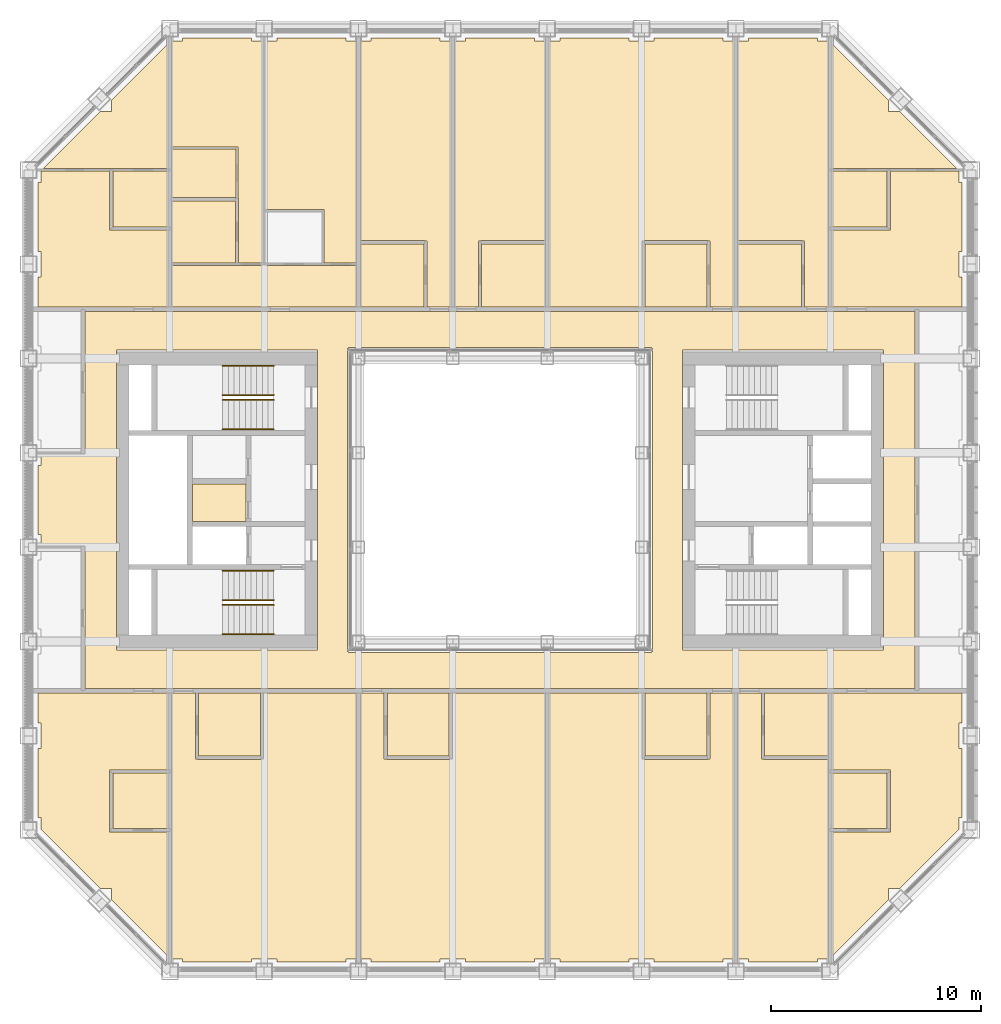
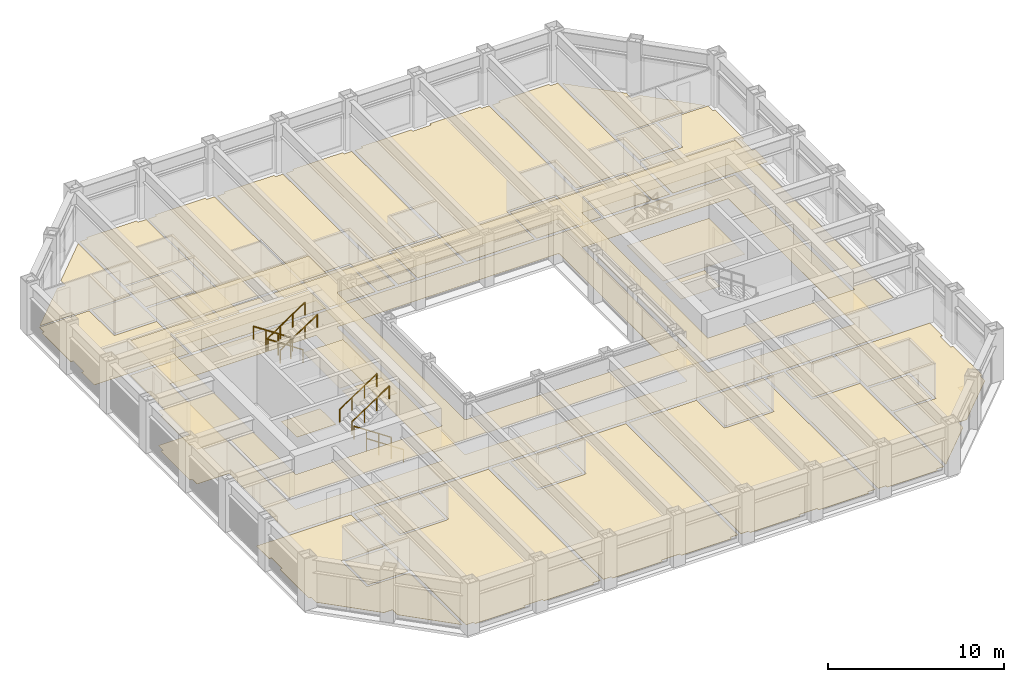
# One storey, part 15 of 17: 8 railings, 4 coverings.
"""IFC4 building model written with IfcOpenShell, lengths in metres."""

from ifc_helpers import new_model, si_unit, direction, frame, origin, origin_2d, place, context, subcontext, project, spatial, line, indexed_curve, circle, outline, extrude, material, layer, layer_set, type_object, element, save


model = new_model("IFC4")

# Units and contexts
model_context = context("Model", 3, precision=1e-05, world=origin(), true_north=direction((0.0, 1.0)))
body_context = subcontext(model_context, "Body", "Model", "MODEL_VIEW")
ifc_project = project(units=[si_unit("LENGTHUNIT", "METRE"), si_unit("AREAUNIT", "SQUARE_METRE"), si_unit("VOLUMEUNIT", "CUBIC_METRE"), si_unit("PLANEANGLEUNIT", "RADIAN"), si_unit("MASSUNIT", "GRAM", prefix="KILO")], contexts=[model_context])

# Site, building, storey
site_placement = place(None, origin())
site = spatial("IfcSite", under=ifc_project, at=site_placement, CompositionType="ELEMENT")
building_placement = place(site_placement, origin())
building = spatial("IfcBuilding", under=site, at=building_placement, Name="Msasa Ring Tower", CompositionType="ELEMENT")
storey_placement = place(building_placement, frame((0.0, 0.0, 179.60009765625)))
storey = spatial("IfcBuildingStorey", under=building, at=storey_placement, Name="L47", CompositionType="ELEMENT", Elevation=179.60009765625)

# Coverings
ifc_material_1 = material(Name="Gypsum plasterboard on a steel suspension grid", Category="steel")
ifc_layer_1 = layer(ifc_material_1, 0.014892578125)
ifc_layer_set_1 = layer_set([ifc_layer_1], Name="C1 SUSPENDED PLASTERBOARD CEILING 15")
covering_type_1 = type_object("IfcCoveringType", Name="C1 SUSPENDED PLASTERBOARD CEILING 15", PredefinedType="CEILING", material=ifc_layer_set_1)
covering_1_placement = place(storey_placement, frame((0.0, 0.0, 2.39990234375)))
element("IfcCovering", 1, at=covering_1_placement, inside=storey, type_object=covering_type_1, Name="Suspended Plasterboard Ceiling 15 circulation L47", PredefinedType="CEILING", context=body_context, shape_type="SweptSolid", body=[
    extrude(outline(indexed_curve([(-22.049560546875, 1.6494140625), (-21.8994140625, 1.6494140625), (-21.8994140625, 2.199462890625), (-19.799560546875, 2.199462890625), (-19.799560546875, 8.99951171875), (19.799560546875, 8.99951171875), (19.799560546875, -8.99951171875), (-19.799560546875, -8.99951171875), (-19.799560546875, -2.199462890625), (-21.8994140625, -2.199462890625), (-21.8994140625, -1.6494140625), (-22.049560546875, -1.6494140625)], segments=[line(1, 2, 3, 4, 5, 6, 7, 8, 9, 10, 11, 12, 1)], self_intersect=False), holes=[indexed_curve([(8.699462890625, -7.150390625), (18.300537109375, -7.150390625), (18.300537109375, 7.150390625), (8.699462890625, 7.150390625)], segments=[line(1, 2, 3, 4, 1)], self_intersect=False), indexed_curve([(-18.300537109375, 7.150390625), (-18.300537109375, -7.150390625), (-8.699462890625, -7.150390625), (-8.699462890625, 7.150390625)], segments=[line(1, 2, 3, 4, 1)], self_intersect=False), indexed_curve([(-7.280517578125, 7.23046875), (-7.280517578125, -7.23046875), (-7.22998046875, -7.23046875), (-7.22998046875, -7.280029296875), (7.22998046875, -7.280029296875), (7.22998046875, -7.23046875), (7.280517578125, -7.23046875), (7.280517578125, 7.23046875), (7.22998046875, 7.23046875), (7.22998046875, 7.280029296875), (-7.22998046875, 7.280029296875), (-7.22998046875, 7.23046875)], segments=[line(1, 2, 3, 4, 5, 6, 7, 8, 9, 10, 11, 12, 1)], self_intersect=False)]), origin(), (0.0, 0.0, 1.0), 0.014892578125),
    extrude(outline(indexed_curve([(-15.6494140625, 9.200439453125), (-15.6494140625, 11.199462890625), (-6.8505859375, 11.199462890625), (-6.8505859375, 9.200439453125)], segments=[line(1, 2, 3, 4, 1)], self_intersect=False)), origin(), (0.0, 0.0, 1.0), 0.014892578125),
    extrude(outline(indexed_curve([(-9.300537109375, -3.074462890625), (-11.87451171875, -3.074462890625), (-11.87451171875, -1.275390625), (-9.300537109375, -1.275390625)], segments=[line(1, 2, 3, 4, 1)], self_intersect=False)), origin(), (0.0, 0.0, 1.0), 0.014892578125),
    extrude(outline(indexed_curve([(-9.300537109375, -1.0244140625), (-11.87451171875, -1.0244140625), (-11.87451171875, 3.074462890625), (-9.300537109375, 3.074462890625)], segments=[line(1, 2, 3, 4, 1)], self_intersect=False)), origin(), (0.0, 0.0, 1.0), 0.014892578125),
    extrude(outline(indexed_curve([(9.300537109375, -3.074462890625), (9.300537109375, -1.275390625), (11.87451171875, -1.275390625), (11.87451171875, -3.074462890625)], segments=[line(1, 2, 3, 4, 1)], self_intersect=False)), origin(), (0.0, 0.0, 1.0), 0.014892578125),
    extrude(outline(indexed_curve([(9.300537109375, -1.0244140625), (9.300537109375, 3.074462890625), (14.674560546875, 3.074462890625), (14.674560546875, -1.0244140625)], segments=[line(1, 2, 3, 4, 1)], self_intersect=False)), origin(), (0.0, 0.0, 1.0), 0.014892578125),
])
ifc_material_2 = material(Name="Wool-blend carpet on felt underlay", Category="textile")
ifc_layer_2 = layer(ifc_material_2, 0.011962890625)
ifc_layer_set_2 = layer_set([ifc_layer_2], Name="F2 CARPET ON UNDERLAY 12")
covering_type_2 = type_object("IfcCoveringType", Name="F2 CARPET ON UNDERLAY 12", PredefinedType="FLOORING", material=ifc_layer_set_2)
covering_2_placement = place(storey_placement, origin())
element("IfcCovering", 2, at=covering_2_placement, inside=storey, type_object=covering_type_2, Name="Carpet On Underlay 12 L47", PredefinedType="FLOORING", context=body_context, shape_type="SweptSolid", body=[
    extrude(outline(indexed_curve([(-19.799560546875, 2.199951171875), (-19.799560546875, 8.99951171875), (19.799560546875, 8.99951171875), (19.799560546875, -8.99951171875), (-19.799560546875, -8.99951171875), (-19.799560546875, -2.199462890625), (-21.8994140625, -2.199462890625), (-21.8994140625, -1.6494140625), (-22.049560546875, -1.6494140625), (-22.049560546875, 1.6494140625), (-21.8994140625, 1.6494140625), (-21.8994140625, 2.199462890625)], segments=[line(1, 2, 3, 4, 5, 6, 7, 8, 9, 10, 11, 12, 1)], self_intersect=False), holes=[indexed_curve([(18.300537109375, -7.150390625), (18.300537109375, 7.150390625), (8.699462890625, 7.150390625), (8.699462890625, -7.150390625)], segments=[line(1, 2, 3, 4, 1)], self_intersect=False), indexed_curve([(-8.699462890625, -7.150390625), (-8.699462890625, 7.150390625), (-18.300537109375, 7.150390625), (-18.300537109375, -7.150390625)], segments=[line(1, 2, 3, 4, 1)], self_intersect=False), indexed_curve([(-7.280517578125, 7.23046875), (-7.280517578125, -7.23046875), (-7.22998046875, -7.23046875), (-7.22998046875, -7.280029296875), (7.22998046875, -7.280029296875), (7.22998046875, -7.23046875), (7.280517578125, -7.23046875), (7.280517578125, 7.23046875), (7.22998046875, 7.23046875), (7.22998046875, 7.280029296875), (-7.22998046875, 7.280029296875), (-7.22998046875, 7.23046875)], segments=[line(1, 2, 3, 4, 5, 6, 7, 8, 9, 10, 11, 12, 1)], self_intersect=False)]), origin(), (0.0, 0.0, 1.0), 0.011962890625),
    extrude(outline(indexed_curve([(-15.8505859375, 9.200439453125), (-22.049560546875, 9.200439453125), (-22.049560546875, 10.6494140625), (-21.8994140625, 10.6494140625), (-21.8994140625, 11.8505859375), (-22.049560546875, 11.8505859375), (-22.049560546875, 15.1494140625), (-21.8994140625, 15.1494140625), (-21.8994140625, 15.694580078125), (-18.630615234375, 15.694580078125), (-18.630615234375, 12.869384765625), (-15.8505859375, 12.869384765625)], segments=[line(1, 2, 3, 4, 5, 6, 7, 8, 9, 10, 11, 12, 1)], self_intersect=False)), origin(), (0.0, 0.0, 1.0), 0.011962890625),
    extrude(outline(indexed_curve([(-19.08837890625, 18.5244140625), (-18.5244140625, 18.5244140625), (-18.5244140625, 19.08837890625), (-15.8505859375, 21.762451171875), (-15.8505859375, 15.805419921875), (-21.807373046875, 15.805419921875)], segments=[line(1, 2, 3, 4, 5, 6, 1)], self_intersect=False)), origin(), (0.0, 0.0, 1.0), 0.011962890625),
    extrude(outline(indexed_curve([(-11.8505859375, 22.049560546875), (-11.8505859375, 21.8994140625), (-11.310546875, 21.8994140625), (-11.310546875, 11.300537109375), (-12.474609375, 11.300537109375), (-12.474609375, 14.39990234375), (-12.49951171875, 14.39990234375), (-12.49951171875, 16.8505859375), (-15.662109375, 16.8505859375), (-15.662109375, 21.8994140625), (-15.1494140625, 21.8994140625), (-15.1494140625, 22.049560546875)], segments=[line(1, 2, 3, 4, 5, 6, 7, 8, 9, 10, 11, 12, 1)], self_intersect=False)), origin(), (0.0, 0.0, 1.0), 0.011962890625),
    extrude(outline(indexed_curve([(-12.6005859375, 16.744384765625), (-12.6005859375, 14.430419921875), (-15.662109375, 14.430419921875), (-15.662109375, 16.744384765625)], segments=[line(1, 2, 3, 4, 1)], self_intersect=False)), origin(), (0.0, 0.0, 1.0), 0.011962890625),
    extrude(outline(indexed_curve([(-15.6494140625, 11.199462890625), (-6.8505859375, 11.199462890625), (-6.8505859375, 9.200439453125), (-15.6494140625, 9.200439453125)], segments=[line(1, 2, 3, 4, 1)], self_intersect=False)), origin(), (0.0, 0.0, 1.0), 0.011962890625),
    extrude(outline(indexed_curve([(-8.3994140625, 11.300537109375), (-8.3994140625, 13.8505859375), (-11.189453125, 13.8505859375), (-11.189453125, 21.8994140625), (-10.6494140625, 21.8994140625), (-10.6494140625, 22.049560546875), (-7.3505859375, 22.049560546875), (-7.3505859375, 21.8994140625), (-6.837890625, 21.8994140625), (-6.837890625, 11.300537109375)], segments=[line(1, 2, 3, 4, 5, 6, 7, 8, 9, 10, 1)], self_intersect=False)), origin(), (0.0, 0.0, 1.0), 0.011962890625),
    extrude(outline(indexed_curve([(-2.8505859375, 22.049560546875), (-2.8505859375, 21.8994140625), (-2.3505859375, 21.8994140625), (-2.3505859375, 9.200439453125), (-3.474609375, 9.200439453125), (-3.474609375, 12.35009765625), (-3.60009765625, 12.3505859375), (-3.60009765625, 12.37548828125), (-6.6494140625, 12.37548828125), (-6.6494140625, 21.8994140625), (-6.1494140625, 21.8994140625), (-6.1494140625, 22.049560546875)], segments=[line(1, 2, 3, 4, 5, 6, 7, 8, 9, 10, 11, 12, 1)], self_intersect=False)), origin(), (0.0, 0.0, 1.0), 0.011962890625),
    extrude(outline(indexed_curve([(-2.1494140625, 21.8994140625), (-1.6494140625, 21.8994140625), (-1.6494140625, 22.049560546875), (1.6494140625, 22.049560546875), (1.6494140625, 21.8994140625), (2.1494140625, 21.8994140625), (2.1494140625, 12.37548828125), (-0.89990234375, 12.37548828125), (-0.89990234375, 12.3505859375), (-1.025390625, 12.35009765625), (-1.025390625, 9.200439453125), (-2.1494140625, 9.200439453125)], segments=[line(1, 2, 3, 4, 5, 6, 7, 8, 9, 10, 11, 12, 1)], self_intersect=False)), origin(), (0.0, 0.0, 1.0), 0.011962890625),
    extrude(outline(indexed_curve([(11.8505859375, -22.049560546875), (11.8505859375, -21.8994140625), (11.3505859375, -21.8994140625), (11.3505859375, -9.200439453125), (12.474609375, -9.200439453125), (12.474609375, -12.35009765625), (12.60009765625, -12.3505859375), (12.60009765625, -12.37548828125), (15.6494140625, -12.37548828125), (15.6494140625, -21.8994140625), (15.1494140625, -21.8994140625), (15.1494140625, -22.049560546875)], segments=[line(1, 2, 3, 4, 5, 6, 7, 8, 9, 10, 11, 12, 1)], self_intersect=False)), origin(), (0.0, 0.0, 1.0), 0.011962890625),
    extrude(outline(indexed_curve([(15.6494140625, 9.200439453125), (14.525390625, 9.200439453125), (14.525390625, 12.35009765625), (14.39990234375, 12.3505859375), (14.39990234375, 12.37548828125), (11.3505859375, 12.37548828125), (11.3505859375, 21.8994140625), (11.8505859375, 21.8994140625), (11.8505859375, 22.049560546875), (15.1494140625, 22.049560546875), (15.1494140625, 21.8994140625), (15.6494140625, 21.8994140625)], segments=[line(1, 2, 3, 4, 5, 6, 7, 8, 9, 10, 11, 12, 1)], self_intersect=False)), origin(), (0.0, 0.0, 1.0), 0.011962890625),
    extrude(outline(indexed_curve([(22.049560546875, 11.8505859375), (21.8994140625, 11.8505859375), (21.8994140625, 10.6494140625), (22.049560546875, 10.6494140625), (22.049560546875, 9.200439453125), (15.8505859375, 9.200439453125), (15.8505859375, 12.869384765625), (18.630615234375, 12.869384765625), (18.630615234375, 15.694580078125), (21.8994140625, 15.694580078125), (21.8994140625, 15.1494140625), (22.049560546875, 15.1494140625)], segments=[line(1, 2, 3, 4, 5, 6, 7, 8, 9, 10, 11, 12, 1)], self_intersect=False)), origin(), (0.0, 0.0, 1.0), 0.011962890625),
    extrude(outline(indexed_curve([(15.8505859375, 15.805419921875), (15.8505859375, 21.762451171875), (18.5244140625, 19.08837890625), (18.5244140625, 18.5244140625), (19.08837890625, 18.5244140625), (21.807373046875, 15.805419921875)], segments=[line(1, 2, 3, 4, 5, 6, 1)], self_intersect=False)), origin(), (0.0, 0.0, 1.0), 0.011962890625),
])
ifc_material_3 = material(Name="Engineered oak boards on an acoustic underlay", Category="wood")
ifc_layer_3 = layer(ifc_material_3, 0.01806640625)
ifc_layer_set_3 = layer_set([ifc_layer_3], Name="F3 ENGINEERED TIMBER ON ACOUSTIC UNDERLAY 18")
covering_type_3 = type_object("IfcCoveringType", Name="F3 ENGINEERED TIMBER ON ACOUSTIC UNDERLAY 18", PredefinedType="FLOORING", material=ifc_layer_set_3)
covering_3_placement = place(storey_placement, origin())
element("IfcCovering", 3, at=covering_3_placement, inside=storey, type_object=covering_type_3, Name="Engineered Timber On Acoustic Underlay 18 L47", PredefinedType="FLOORING", context=body_context, shape_type="SweptSolid", body=[
    extrude(outline(indexed_curve([(-15.8505859375, -15.83056640625), (-15.8505859375, -21.762451171875), (-18.5244140625, -19.08837890625), (-18.5244140625, -18.5244140625), (-19.08837890625, -18.5244140625), (-21.8994140625, -15.71337890625), (-21.8994140625, -15.1494140625), (-22.049560546875, -15.1494140625), (-22.049560546875, -11.8505859375), (-21.8994140625, -11.8505859375), (-21.8994140625, -10.6494140625), (-22.049560546875, -10.6494140625), (-22.049560546875, -9.200439453125), (-15.8505859375, -9.200439453125), (-15.8505859375, -12.869384765625), (-18.630615234375, -12.869384765625), (-18.630615234375, -15.83056640625)], segments=[line(1, 2, 3, 4, 5, 6, 7, 8, 9, 10, 11, 12, 13, 14, 15, 16, 17, 1)], self_intersect=False)), origin(), (0.0, 0.0, 1.0), 0.017822265625),
    extrude(outline(indexed_curve([(-14.525390625, -9.200439453125), (-14.525390625, -12.35009765625), (-14.39990234375, -12.3505859375), (-14.39990234375, -12.37548828125), (-11.39990234375, -12.37548828125), (-11.39990234375, -12.3505859375), (-11.2744140625, -12.35009765625), (-11.2744140625, -9.200439453125), (-6.8505859375, -9.200439453125), (-6.8505859375, -21.8994140625), (-7.3505859375, -21.8994140625), (-7.3505859375, -22.049560546875), (-10.6494140625, -22.049560546875), (-10.6494140625, -21.8994140625), (-11.8505859375, -21.8994140625), (-11.8505859375, -22.049560546875), (-15.1494140625, -22.049560546875), (-15.1494140625, -21.8994140625), (-15.6494140625, -21.8994140625), (-15.6494140625, -9.200439453125)], segments=[line(1, 2, 3, 4, 5, 6, 7, 8, 9, 10, 11, 12, 13, 14, 15, 16, 17, 18, 19, 20, 1)], self_intersect=False)), origin(), (0.0, 0.0, 1.0), 0.017822265625),
    extrude(outline(indexed_curve([(-5.39990234375, -12.3505859375), (-5.39990234375, -12.37548828125), (-2.39990234375, -12.37548828125), (-2.39990234375, -12.3505859375), (-2.2744140625, -12.35009765625), (-2.2744140625, -9.200439453125), (2.1494140625, -9.200439453125), (2.1494140625, -21.8994140625), (1.6494140625, -21.8994140625), (1.6494140625, -22.049560546875), (-1.6494140625, -22.049560546875), (-1.6494140625, -21.8994140625), (-2.8505859375, -21.8994140625), (-2.8505859375, -22.049560546875), (-6.1494140625, -22.049560546875), (-6.1494140625, -21.8994140625), (-6.6494140625, -21.8994140625), (-6.6494140625, -9.200439453125), (-5.525390625, -9.200439453125), (-5.525390625, -12.35009765625)], segments=[line(1, 2, 3, 4, 5, 6, 7, 8, 9, 10, 11, 12, 13, 14, 15, 16, 17, 18, 19, 20, 1)], self_intersect=False)), origin(), (0.0, 0.0, 1.0), 0.017822265625),
    extrude(outline(indexed_curve([(6.89990234375, -12.3505859375), (6.89990234375, -12.37548828125), (9.89990234375, -12.37548828125), (9.89990234375, -12.3505859375), (10.025390625, -12.35009765625), (10.025390625, -9.200439453125), (11.1494140625, -9.200439453125), (11.1494140625, -21.8994140625), (10.6494140625, -21.8994140625), (10.6494140625, -22.049560546875), (7.3505859375, -22.049560546875), (7.3505859375, -21.8994140625), (6.1494140625, -21.8994140625), (6.1494140625, -22.049560546875), (2.8505859375, -22.049560546875), (2.8505859375, -21.8994140625), (2.3505859375, -21.8994140625), (2.3505859375, -9.200439453125), (6.7744140625, -9.200439453125), (6.7744140625, -12.35009765625)], segments=[line(1, 2, 3, 4, 5, 6, 7, 8, 9, 10, 11, 12, 13, 14, 15, 16, 17, 18, 19, 20, 1)], self_intersect=False)), origin(), (0.0, 0.0, 1.0), 0.017822265625),
    extrude(outline(indexed_curve([(9.89990234375, 12.3505859375), (9.89990234375, 12.37548828125), (6.89990234375, 12.37548828125), (6.89990234375, 12.3505859375), (6.7744140625, 12.35009765625), (6.7744140625, 9.200439453125), (2.3505859375, 9.200439453125), (2.3505859375, 21.8994140625), (2.8505859375, 21.8994140625), (2.8505859375, 22.049560546875), (6.1494140625, 22.049560546875), (6.1494140625, 21.8994140625), (7.3505859375, 21.8994140625), (7.3505859375, 22.049560546875), (10.6494140625, 22.049560546875), (10.6494140625, 21.8994140625), (11.1494140625, 21.8994140625), (11.1494140625, 9.200439453125), (10.025390625, 9.200439453125), (10.025390625, 12.35009765625)], segments=[line(1, 2, 3, 4, 5, 6, 7, 8, 9, 10, 11, 12, 13, 14, 15, 16, 17, 18, 19, 20, 1)], self_intersect=False)), origin(), (0.0, 0.0, 1.0), 0.017822265625),
    extrude(outline(indexed_curve([(18.630615234375, -12.869384765625), (15.8505859375, -12.869384765625), (15.8505859375, -9.200439453125), (22.049560546875, -9.200439453125), (22.049560546875, -10.6494140625), (21.8994140625, -10.6494140625), (21.8994140625, -11.8505859375), (22.049560546875, -11.8505859375), (22.049560546875, -15.1494140625), (21.8994140625, -15.1494140625), (21.8994140625, -15.71337890625), (19.08837890625, -18.5244140625), (18.5244140625, -18.5244140625), (18.5244140625, -19.08837890625), (15.8505859375, -21.762451171875), (15.8505859375, -15.83056640625), (18.630615234375, -15.83056640625)], segments=[line(1, 2, 3, 4, 5, 6, 7, 8, 9, 10, 11, 12, 13, 14, 15, 16, 17, 1)], self_intersect=False)), origin(), (0.0, 0.0, 1.0), 0.017822265625),
])
ifc_material_4 = material(Name="Porcelain floor tiles in adhesive", Category="ceramic")
ifc_layer_4 = layer(ifc_material_4, 0.010009765625)
ifc_layer_set_4 = layer_set([ifc_layer_4], Name="F4 PORCELAIN TILE ON ADHESIVE 10")
covering_type_4 = type_object("IfcCoveringType", Name="F4 PORCELAIN TILE ON ADHESIVE 10", PredefinedType="FLOORING", material=ifc_layer_set_4)
covering_4_placement = place(storey_placement, origin())
element("IfcCovering", 4, at=covering_4_placement, inside=storey, type_object=covering_type_4, Name="Porcelain Tile On Adhesive 10 L47", PredefinedType="FLOORING", context=body_context, shape_type="SweptSolid", body=[
    extrude(outline(indexed_curve([(-18.469482421875, -13.030517578125), (-15.8505859375, -13.030517578125), (-15.8505859375, -15.66943359375), (-18.469482421875, -15.66943359375)], segments=[line(1, 2, 3, 4, 1)], self_intersect=False)), origin(), (0.0, 0.0, 1.0), 0.010009765625),
    extrude(outline(indexed_curve([(-15.8505859375, 15.694580078125), (-15.8505859375, 13.030517578125), (-18.469482421875, 13.030517578125), (-18.469482421875, 15.694580078125)], segments=[line(1, 2, 3, 4, 1)], self_intersect=False)), origin(), (0.0, 0.0, 1.0), 0.010009765625),
    extrude(outline(indexed_curve([(-15.662109375, 11.300537109375), (-15.662109375, 14.2744140625), (-12.62548828125, 14.2744140625), (-12.62548828125, 11.300537109375)], segments=[line(1, 2, 3, 4, 1)], self_intersect=False)), origin(), (0.0, 0.0, 1.0), 0.010009765625),
    extrude(outline(indexed_curve([(-12.12548828125, -1.0244140625), (-14.674560546875, -1.0244140625), (-14.674560546875, 0.7744140625), (-12.12548828125, 0.7744140625)], segments=[line(1, 2, 3, 4, 1)], self_intersect=False)), origin(), (0.0, 0.0, 1.0), 0.010009765625),
    extrude(outline(indexed_curve([(-11.425537109375, -9.200439453125), (-11.425537109375, -12.224609375), (-14.37451171875, -12.224609375), (-14.37451171875, -9.200439453125)], segments=[line(1, 2, 3, 4, 1)], self_intersect=False)), origin(), (0.0, 0.0, 1.0), 0.010009765625),
    extrude(outline(indexed_curve([(-6.6494140625, 9.200439453125), (-6.6494140625, 12.224609375), (-3.62548828125, 12.224609375), (-3.62548828125, 9.200439453125)], segments=[line(1, 2, 3, 4, 1)], self_intersect=False)), origin(), (0.0, 0.0, 1.0), 0.010009765625),
    extrude(outline(indexed_curve([(-2.425537109375, -9.200439453125), (-2.425537109375, -12.224609375), (-5.37451171875, -12.224609375), (-5.37451171875, -9.200439453125)], segments=[line(1, 2, 3, 4, 1)], self_intersect=False)), origin(), (0.0, 0.0, 1.0), 0.010009765625),
    extrude(outline(indexed_curve([(2.1494140625, 9.200439453125), (-0.87451171875, 9.200439453125), (-0.87451171875, 12.224609375), (2.1494140625, 12.224609375)], segments=[line(1, 2, 3, 4, 1)], self_intersect=False)), origin(), (0.0, 0.0, 1.0), 0.010009765625),
    extrude(outline(indexed_curve([(9.87451171875, -9.200439453125), (9.87451171875, -12.224609375), (6.925537109375, -12.224609375), (6.925537109375, -9.200439453125)], segments=[line(1, 2, 3, 4, 1)], self_intersect=False)), origin(), (0.0, 0.0, 1.0), 0.010009765625),
    extrude(outline(indexed_curve([(6.925537109375, 9.200439453125), (6.925537109375, 12.224609375), (9.87451171875, 12.224609375), (9.87451171875, 9.200439453125)], segments=[line(1, 2, 3, 4, 1)], self_intersect=False)), origin(), (0.0, 0.0, 1.0), 0.010009765625),
    extrude(outline(indexed_curve([(11.3505859375, 9.200439453125), (11.3505859375, 12.224609375), (14.37451171875, 12.224609375), (14.37451171875, 9.200439453125)], segments=[line(1, 2, 3, 4, 1)], self_intersect=False)), origin(), (0.0, 0.0, 1.0), 0.010009765625),
    extrude(outline(indexed_curve([(15.6494140625, -9.200439453125), (15.6494140625, -12.224609375), (12.62548828125, -12.224609375), (12.62548828125, -9.200439453125)], segments=[line(1, 2, 3, 4, 1)], self_intersect=False)), origin(), (0.0, 0.0, 1.0), 0.010009765625),
    extrude(outline(indexed_curve([(15.8505859375, -13.030517578125), (18.469482421875, -13.030517578125), (18.469482421875, -15.66943359375), (15.8505859375, -15.66943359375)], segments=[line(1, 2, 3, 4, 1)], self_intersect=False)), origin(), (0.0, 0.0, 1.0), 0.010009765625),
    extrude(outline(indexed_curve([(18.469482421875, 15.694580078125), (18.469482421875, 13.030517578125), (15.8505859375, 13.030517578125), (15.8505859375, 15.694580078125)], segments=[line(1, 2, 3, 4, 1)], self_intersect=False)), origin(), (0.0, 0.0, 1.0), 0.010009765625),
])

# Railings
ifc_material_5 = material(Name="Stainless steel", Category="steel")
railing_type = type_object("IfcRailingType", Name="HR1 HANDRAIL 900", PredefinedType="HANDRAIL", material=ifc_material_5)
for number, where, name in (
    (5, (-10.800048828125, -6.39990234375, 0.179931640625), "Handrail stair SWA L47 1"),
    (6, (-10.800048828125, -5.0, 0.179931640625), "Handrail stair SWA L47 2"),
):
    element("IfcRailing", number, at=place(storey_placement, frame(where)), inside=storey, type_object=railing_type, Name=name, PredefinedType="HANDRAIL", context=body_context, shape_type="SweptSolid", body=[
        extrude(circle(Radius=0.02392578125, at=origin_2d()), frame((0.0, 0.0, 0.8759765625), z_axis=(-0.832063155534, 0.0, 0.554680903946), x_axis=(0.0, -1.0, 0.0)), (0.0, 0.0, 1.0), 2.92041015625),
        extrude(circle(Radius=0.02099609375, at=origin_2d()), origin(), (0.0, 0.0, 1.0), 0.851806640625),
        extrude(circle(Radius=0.02099609375, at=origin_2d()), frame((-0.81005859375, 0.0, 0.5400390625)), (0.0, 0.0, 1.0), 0.851806640625),
        extrude(circle(Radius=0.02099609375, at=origin_2d()), frame((-1.619873046875, 0.0, 1.079833984375)), (0.0, 0.0, 1.0), 0.851806640625),
        extrude(circle(Radius=0.02099609375, at=origin_2d()), frame((-2.429931640625, 0.0, 1.619873046875)), (0.0, 0.0, 1.0), 0.851806640625),
    ])
for number, where, name in (
    (7, (-13.22998046875, -4.77490234375, 1.97998046875), "Handrail stair SWA L47 3"),
    (8, (-13.22998046875, -3.375, 1.97998046875), "Handrail stair SWA L47 4"),
):
    element("IfcRailing", number, at=place(storey_placement, frame(where)), inside=storey, type_object=railing_type, Name=name, PredefinedType="HANDRAIL", context=body_context, shape_type="SweptSolid", body=[
        extrude(circle(Radius=0.02392578125, at=origin_2d()), frame((0.0, 0.0, 0.8759765625), z_axis=(0.832063155534, 0.0, 0.554680903946), x_axis=(0.0, 1.0, 0.0)), (0.0, 0.0, 1.0), 2.92041015625),
        extrude(circle(Radius=0.02099609375, at=origin_2d()), origin(), (0.0, 0.0, 1.0), 0.851806640625),
        extrude(circle(Radius=0.02099609375, at=origin_2d()), frame((0.81005859375, 0.0, 0.5400390625)), (0.0, 0.0, 1.0), 0.851806640625),
        extrude(circle(Radius=0.02099609375, at=origin_2d()), frame((1.619873046875, 0.0, 1.079833984375)), (0.0, 0.0, 1.0), 0.851806640625),
        extrude(circle(Radius=0.02099609375, at=origin_2d()), frame((2.429931640625, 0.0, 1.619873046875)), (0.0, 0.0, 1.0), 0.851806640625),
    ])
for number, where, name in (
    (9, (-10.800048828125, 5.0, 0.179931640625), "Handrail stair SWB L47 1"),
    (10, (-10.800048828125, 6.39990234375, 0.179931640625), "Handrail stair SWB L47 2"),
):
    element("IfcRailing", number, at=place(storey_placement, frame(where)), inside=storey, type_object=railing_type, Name=name, PredefinedType="HANDRAIL", context=body_context, shape_type="SweptSolid", body=[
        extrude(circle(Radius=0.02392578125, at=origin_2d()), frame((0.0, 0.0, 0.8759765625), z_axis=(-0.832063155534, 0.0, 0.554680903946), x_axis=(0.0, -1.0, 0.0)), (0.0, 0.0, 1.0), 2.92041015625),
        extrude(circle(Radius=0.02099609375, at=origin_2d()), origin(), (0.0, 0.0, 1.0), 0.851806640625),
        extrude(circle(Radius=0.02099609375, at=origin_2d()), frame((-0.81005859375, 0.0, 0.5400390625)), (0.0, 0.0, 1.0), 0.851806640625),
        extrude(circle(Radius=0.02099609375, at=origin_2d()), frame((-1.619873046875, 0.0, 1.079833984375)), (0.0, 0.0, 1.0), 0.851806640625),
        extrude(circle(Radius=0.02099609375, at=origin_2d()), frame((-2.429931640625, 0.0, 1.619873046875)), (0.0, 0.0, 1.0), 0.851806640625),
    ])
for number, where, name in (
    (11, (-13.22998046875, 3.375, 1.97998046875), "Handrail stair SWB L47 3"),
    (12, (-13.22998046875, 4.77490234375, 1.97998046875), "Handrail stair SWB L47 4"),
):
    element("IfcRailing", number, at=place(storey_placement, frame(where)), inside=storey, type_object=railing_type, Name=name, PredefinedType="HANDRAIL", context=body_context, shape_type="SweptSolid", body=[
        extrude(circle(Radius=0.02392578125, at=origin_2d()), frame((0.0, 0.0, 0.8759765625), z_axis=(0.832063155534, 0.0, 0.554680903946), x_axis=(0.0, 1.0, 0.0)), (0.0, 0.0, 1.0), 2.92041015625),
        extrude(circle(Radius=0.02099609375, at=origin_2d()), origin(), (0.0, 0.0, 1.0), 0.851806640625),
        extrude(circle(Radius=0.02099609375, at=origin_2d()), frame((0.81005859375, 0.0, 0.5400390625)), (0.0, 0.0, 1.0), 0.851806640625),
        extrude(circle(Radius=0.02099609375, at=origin_2d()), frame((1.619873046875, 0.0, 1.079833984375)), (0.0, 0.0, 1.0), 0.851806640625),
        extrude(circle(Radius=0.02099609375, at=origin_2d()), frame((2.429931640625, 0.0, 1.619873046875)), (0.0, 0.0, 1.0), 0.851806640625),
    ])

save(model, "model.ifc")
